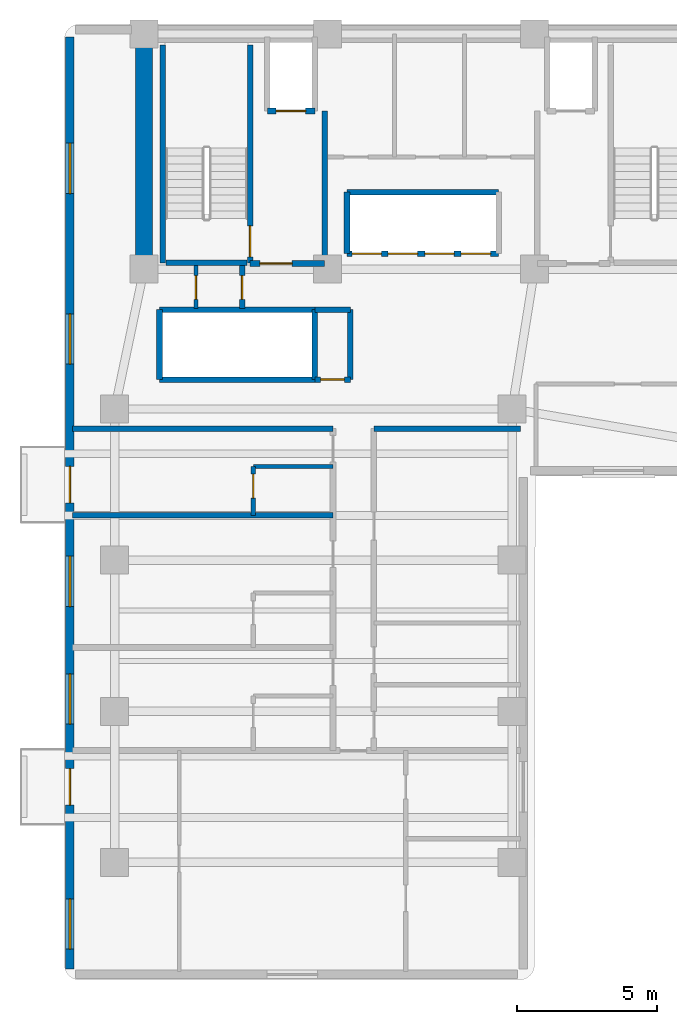
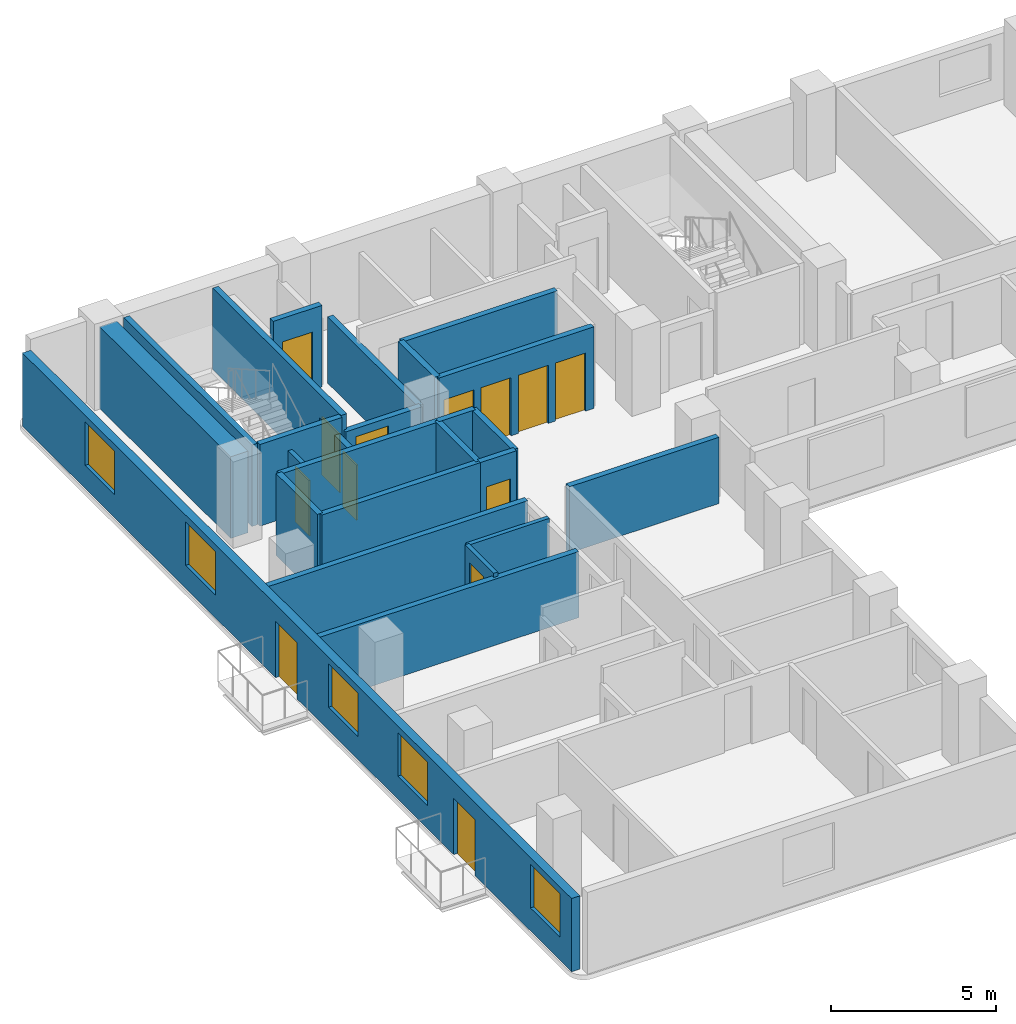
# One storey, part 3 of 7: 25 walls, 13 doors, 5 windows, 18 openings.
"""IFC4 building model written with IfcOpenShell, lengths in metres."""

from ifc_helpers import new_model, si_unit, direction, frame, frame_2d, origin, place, context, subcontext, project, spatial, rectangle, extrude, material, layer, layer_set, type_object, element, fill, save


model = new_model("IFC4")

# Units and contexts
model_context = context("Model", 3, precision=1e-05, world=origin(), true_north=direction((0.0, 1.0)))
body_context = subcontext(model_context, "Body", "Model", "MODEL_VIEW")
ifc_project = project(units=[si_unit("LENGTHUNIT", "METRE"), si_unit("AREAUNIT", "SQUARE_METRE"), si_unit("VOLUMEUNIT", "CUBIC_METRE"), si_unit("PLANEANGLEUNIT", "RADIAN"), si_unit("MASSUNIT", "GRAM", prefix="KILO")], contexts=[model_context])

# Site, building, storey
site_placement = place(None, origin())
site = spatial("IfcSite", under=ifc_project, at=site_placement, CompositionType="ELEMENT")
building_placement = place(site_placement, origin())
building = spatial("IfcBuilding", under=site, at=building_placement, Name="Kuzgunbayir Cultural Tower", CompositionType="ELEMENT")
storey_placement = place(building_placement, frame((0.0, 0.0, 123.39990234375)))
storey = spatial("IfcBuildingStorey", under=building, at=storey_placement, Name="L35", CompositionType="ELEMENT", Elevation=123.39990234375)

# Wall
ifc_material_1 = material(Name="Concrete C60/75", Category="concrete")
ifc_layer_1 = layer(ifc_material_1, 0.60009765625)
ifc_layer_set_1 = layer_set([ifc_layer_1], Name="Concrete C60/75")
wall_type_1 = type_object("IfcWallType", Name="WAL-CORE-600", PredefinedType="SHEAR", material=ifc_layer_set_1)
wall_1_placement = place(storey_placement, frame((6.449951171875, 33.800048828125, 0.0), z_axis=(0.0, 0.0, 1.0), x_axis=(0.0, 1.0, 0.0)))
element("IfcWall", 1, at=wall_1_placement, inside=storey, type_object=wall_type_1, Name="L35 T1 Core West Shear Wall", PredefinedType="SHEAR", context=body_context, shape_type="SweptSolid", body=[
    extrude(rectangle(XDim=7.949951171875, YDim=0.60009765625, at=frame_2d((3.97509765625, 0.0))), origin(), (0.0, 0.0, 1.0), 3.02001953125),
])

# Wall, openings, doors, windows
ifc_material_2 = material(Name="Anatolian Cream Limestone", Category="masonry")
ifc_layer_2 = layer(ifc_material_2, 0.300048828125)
ifc_layer_set_2 = layer_set([ifc_layer_2], Name="Anatolian Cream Limestone")
wall_type_2 = type_object("IfcWallType", Name="WAL-EXT-STONE-300", PredefinedType="STANDARD", material=ifc_layer_set_2)
wall_2_placement = place(storey_placement, frame((3.800048828125, 42.10009765625, 0.0), z_axis=(0.0, 0.0, 1.0), x_axis=(0.0, -1.0, 0.0)))
wall_2 = element("IfcWall", 2, at=wall_2_placement, inside=storey, type_object=wall_type_2, Name="L35 Wing A West Limestone Wall", PredefinedType="STANDARD", context=body_context, shape_type="SweptSolid", body=[
    extrude(rectangle(XDim=33.300048828125, YDim=0.300048828125, at=frame_2d((16.64990234375, 0.0))), origin(), (0.0, 0.0, 1.0), 2.710205078125),
])
opening_1_placement = place(wall_2_placement, frame((26.14990234375, 0.0, 0.0)))
opening_1 = element("IfcOpeningElement", 3, at=opening_1_placement, cuts=wall_2, Name="Opening BD-13", PredefinedType="OPENING", context=body_context, shape_type="SweptSolid", body=[
    extrude(rectangle(XDim=1.300048828125, YDim=2.080078125, at=frame_2d((0.64990234375, 1.0400390625))), frame((0.0, 0.16015625, 0.0), z_axis=(0.0, -1.0, 0.0), x_axis=(1.0, 0.0, 0.0)), (0.0, 0.0, 1.0), 0.320068359375),
])
opening_2_placement = place(wall_2_placement, frame((15.35009765625, 0.0, 0.0)))
opening_2 = element("IfcOpeningElement", 4, at=opening_2_placement, cuts=wall_2, Name="Opening BD-13", PredefinedType="OPENING", context=body_context, shape_type="SweptSolid", body=[
    extrude(rectangle(XDim=1.300048828125, YDim=2.080078125, at=frame_2d((0.64990234375, 1.0400390625))), frame((0.0, 0.16015625, 0.0), z_axis=(0.0, -1.0, 0.0), x_axis=(1.0, 0.0, 0.0)), (0.0, 0.0, 1.0), 0.320068359375),
])
opening_3_placement = place(wall_2_placement, frame((22.760009765625, 0.0, 0.85009765625)))
opening_3 = element("IfcOpeningElement", 5, at=opening_3_placement, cuts=wall_2, Name="Opening WH-18", PredefinedType="OPENING", context=body_context, shape_type="SweptSolid", body=[
    extrude(rectangle(XDim=1.800048828125, YDim=1.610107421875, at=frame_2d((0.89990234375, 0.80517578125))), frame((0.0, 0.16015625, 0.0), z_axis=(0.0, -1.0, 0.0), x_axis=(1.0, 0.0, 0.0)), (0.0, 0.0, 1.0), 0.320068359375),
])
opening_4_placement = place(wall_2_placement, frame((18.56005859375, 0.0, 0.85009765625)))
opening_4 = element("IfcOpeningElement", 6, at=opening_4_placement, cuts=wall_2, Name="Opening WH-18", PredefinedType="OPENING", context=body_context, shape_type="SweptSolid", body=[
    extrude(rectangle(XDim=1.800048828125, YDim=1.610107421875, at=frame_2d((0.89990234375, 0.80517578125))), frame((0.0, 0.16015625, 0.0), z_axis=(0.0, -1.0, 0.0), x_axis=(1.0, 0.0, 0.0)), (0.0, 0.0, 1.0), 0.320068359375),
])
opening_5_placement = place(wall_2_placement, frame((30.800048828125, 0.0, 0.85009765625)))
opening_5 = element("IfcOpeningElement", 7, at=opening_5_placement, cuts=wall_2, Name="Opening WH-18", PredefinedType="OPENING", context=body_context, shape_type="SweptSolid", body=[
    extrude(rectangle(XDim=1.800048828125, YDim=1.610107421875, at=frame_2d((0.89990234375, 0.80517578125))), frame((0.0, 0.16015625, 0.0), z_axis=(0.0, -1.0, 0.0), x_axis=(1.0, 0.0, 0.0)), (0.0, 0.0, 1.0), 0.320068359375),
])
opening_6_placement = place(wall_2_placement, frame((9.89990234375, 0.0, 0.85009765625)))
opening_6 = element("IfcOpeningElement", 8, at=opening_6_placement, cuts=wall_2, Name="Opening WH-18", PredefinedType="OPENING", context=body_context, shape_type="SweptSolid", body=[
    extrude(rectangle(XDim=1.800048828125, YDim=1.610107421875, at=frame_2d((0.89990234375, 0.80517578125))), frame((0.0, 0.16015625, 0.0), z_axis=(0.0, -1.0, 0.0), x_axis=(1.0, 0.0, 0.0)), (0.0, 0.0, 1.0), 0.320068359375),
])
opening_7_placement = place(wall_2_placement, frame((3.800048828125, 0.0, 0.85009765625)))
opening_7 = element("IfcOpeningElement", 9, at=opening_7_placement, cuts=wall_2, Name="Opening WH-18", PredefinedType="OPENING", context=body_context, shape_type="SweptSolid", body=[
    extrude(rectangle(XDim=1.800048828125, YDim=1.610107421875, at=frame_2d((0.89990234375, 0.80517578125))), frame((0.0, 0.16015625, 0.0), z_axis=(0.0, -1.0, 0.0), x_axis=(1.0, 0.0, 0.0)), (0.0, 0.0, 1.0), 0.320068359375),
])
ifc_material_3 = material(Name="Thermally Broken Glazed Aluminium", Category="aluminium")
door_type_1 = type_object("IfcDoorType", Name="DR-BALCONY-135", OperationType="SLIDING_TO_LEFT", PredefinedType="DOOR", material=ifc_material_3)
door_1_placement = place(opening_1_placement, origin())
door_1 = element("IfcDoor", 10, at=door_1_placement, inside=storey, type_object=door_type_1, Name="L35 West Balcony Sliding Door BAL-L35-WA1", OperationType="SLIDING_TO_LEFT", OverallHeight=2.080078125, OverallWidth=1.300048828125, PredefinedType="DOOR", context=body_context, shape_type="SweptSolid", body=[
    extrude(rectangle(XDim=1.300048828125, YDim=2.080078125, at=frame_2d((0.64990234375, 1.0400390625))), frame((0.0, 0.02490234375, 0.0), z_axis=(0.0, -1.0, 0.0), x_axis=(1.0, 0.0, 0.0)), (0.0, 0.0, 1.0), 0.050048828125),
])
fill(opening_1, door_1)
door_2_placement = place(opening_2_placement, origin())
door_2 = element("IfcDoor", 11, at=door_2_placement, inside=storey, type_object=door_type_1, Name="L35 West Balcony Sliding Door BAL-L35-WA3", OperationType="SLIDING_TO_LEFT", OverallHeight=2.080078125, OverallWidth=1.300048828125, PredefinedType="DOOR", context=body_context, shape_type="SweptSolid", body=[
    extrude(rectangle(XDim=1.300048828125, YDim=2.080078125, at=frame_2d((0.64990234375, 1.0400390625))), frame((0.0, 0.02490234375, 0.0), z_axis=(0.0, -1.0, 0.0), x_axis=(1.0, 0.0, 0.0)), (0.0, 0.0, 1.0), 0.050048828125),
])
fill(opening_2, door_2)
ifc_material_4 = material(Name="Solar-Control Triple Glazing", Category="glass")
window_type = type_object("IfcWindowType", Name="WIN-HOTEL-18", PartitioningType="SINGLE_PANEL", PredefinedType="WINDOW", material=ifc_material_4)
window_1_placement = place(opening_3_placement, origin())
window_1 = element("IfcWindow", 12, at=window_1_placement, inside=storey, type_object=window_type, Name="L35 WAW Facade Window 1", OverallHeight=1.610107421875, OverallWidth=1.800048828125, PartitioningType="SINGLE_PANEL", PredefinedType="WINDOW", context=body_context, shape_type="SweptSolid", body=[
    extrude(rectangle(XDim=1.800048828125, YDim=1.610107421875, at=frame_2d((0.89990234375, 0.80517578125))), frame((0.0, 0.030029296875, 0.0), z_axis=(0.0, -1.0, 0.0), x_axis=(1.0, 0.0, 0.0)), (0.0, 0.0, 1.0), 0.06005859375),
])
fill(opening_3, window_1)
window_2_placement = place(opening_4_placement, origin())
window_2 = element("IfcWindow", 13, at=window_2_placement, inside=storey, type_object=window_type, Name="L35 WAW Facade Window 2", OverallHeight=1.610107421875, OverallWidth=1.800048828125, PartitioningType="SINGLE_PANEL", PredefinedType="WINDOW", context=body_context, shape_type="SweptSolid", body=[
    extrude(rectangle(XDim=1.800048828125, YDim=1.610107421875, at=frame_2d((0.89990234375, 0.80517578125))), frame((0.0, 0.030029296875, 0.0), z_axis=(0.0, -1.0, 0.0), x_axis=(1.0, 0.0, 0.0)), (0.0, 0.0, 1.0), 0.06005859375),
])
fill(opening_4, window_2)
window_3_placement = place(opening_5_placement, origin())
window_3 = element("IfcWindow", 14, at=window_3_placement, inside=storey, type_object=window_type, Name="L35 WAW Facade Window 7", OverallHeight=1.610107421875, OverallWidth=1.800048828125, PartitioningType="SINGLE_PANEL", PredefinedType="WINDOW", context=body_context, shape_type="SweptSolid", body=[
    extrude(rectangle(XDim=1.800048828125, YDim=1.610107421875, at=frame_2d((0.89990234375, 0.80517578125))), frame((0.0, 0.030029296875, 0.0), z_axis=(0.0, -1.0, 0.0), x_axis=(1.0, 0.0, 0.0)), (0.0, 0.0, 1.0), 0.06005859375),
])
fill(opening_5, window_3)
window_4_placement = place(opening_6_placement, origin())
window_4 = element("IfcWindow", 15, at=window_4_placement, inside=storey, type_object=window_type, Name="L35 WAW Facade Window 8", OverallHeight=1.610107421875, OverallWidth=1.800048828125, PartitioningType="SINGLE_PANEL", PredefinedType="WINDOW", context=body_context, shape_type="SweptSolid", body=[
    extrude(rectangle(XDim=1.800048828125, YDim=1.610107421875, at=frame_2d((0.89990234375, 0.80517578125))), frame((0.0, 0.030029296875, 0.0), z_axis=(0.0, -1.0, 0.0), x_axis=(1.0, 0.0, 0.0)), (0.0, 0.0, 1.0), 0.06005859375),
])
fill(opening_6, window_4)
window_5_placement = place(opening_7_placement, origin())
window_5 = element("IfcWindow", 16, at=window_5_placement, inside=storey, type_object=window_type, Name="L35 WAW Facade Window 9", OverallHeight=1.610107421875, OverallWidth=1.800048828125, PartitioningType="SINGLE_PANEL", PredefinedType="WINDOW", context=body_context, shape_type="SweptSolid", body=[
    extrude(rectangle(XDim=1.800048828125, YDim=1.610107421875, at=frame_2d((0.89990234375, 0.80517578125))), frame((0.0, 0.030029296875, 0.0), z_axis=(0.0, -1.0, 0.0), x_axis=(1.0, 0.0, 0.0)), (0.0, 0.0, 1.0), 0.06005859375),
])
fill(opening_7, window_5)

# Wall, opening, door
ifc_material_5 = material(Name="Acoustic Double-Stud Drywall", Category="gypsum")
ifc_layer_3 = layer(ifc_material_5, 0.14990234375)
ifc_layer_set_3 = layer_set([ifc_layer_3], Name="Acoustic Double-Stud Drywall")
wall_type_3 = type_object("IfcWallType", Name="WAL-PART-ACOUSTIC-150", PredefinedType="PARTITIONING", material=ifc_layer_set_3)
wall_3_placement = place(storey_placement, frame((8.300048828125, 32.39990234375, 0.0), z_axis=(0.0, 0.0, 1.0), x_axis=(0.0, 1.0, 0.0)))
wall_3 = element("IfcWall", 17, at=wall_3_placement, inside=storey, type_object=wall_type_3, Name="L35 West Core Closet Divider", PredefinedType="PARTITIONING", context=body_context, shape_type="SweptSolid", body=[
    extrude(rectangle(XDim=1.52001953125, YDim=0.14990234375, at=frame_2d((0.760009765625, 0.0))), origin(), (0.0, 0.0, 1.0), 2.4501953125),
])
opening_8_placement = place(wall_3_placement, frame((0.320068359375, 0.0, 0.0)))
opening_8 = element("IfcOpeningElement", 18, at=opening_8_placement, cuts=wall_3, Name="Opening DR-RSR-60", PredefinedType="OPENING", context=body_context, shape_type="SweptSolid", body=[
    extrude(rectangle(XDim=0.85009765625, YDim=2.050048828125, at=frame_2d((0.425048828125, 1.02490234375))), frame((0.0, 0.0849609375, 0.0), z_axis=(0.0, -1.0, 0.0), x_axis=(1.0, 0.0, 0.0)), (0.0, 0.0, 1.0), 0.169921875),
])
ifc_material_6 = material(Name="Steel Access Leaf", Category="steel")
door_type_2 = type_object("IfcDoorType", Name="DR-RISER-60", OperationType="NOTDEFINED", PredefinedType="DOOR", material=ifc_material_6)
door_3_placement = place(opening_8_placement, origin())
door_3 = element("IfcDoor", 19, at=door_3_placement, inside=storey, type_object=door_type_2, Name="L35 Sub-Meter Closet Door", OperationType="SINGLE_SWING_RIGHT", OverallHeight=2.050048828125, OverallWidth=0.85009765625, PredefinedType="DOOR", context=body_context, shape_type="SweptSolid", body=[
    extrude(rectangle(XDim=0.85009765625, YDim=2.050048828125, at=frame_2d((0.425048828125, 1.02490234375))), frame((0.0, 0.02490234375, 0.0), z_axis=(0.0, -1.0, 0.0), x_axis=(1.0, 0.0, 0.0)), (0.0, 0.0, 1.0), 0.050048828125),
])
fill(opening_8, door_3)

# Wall
ifc_material_7 = material(Name="Aerated Concrete Blockwork", Category="masonry")
ifc_layer_4 = layer(ifc_material_7, 0.199951171875)
ifc_layer_set_4 = layer_set([ifc_layer_4], Name="Aerated Concrete Blockwork")
wall_type_4 = type_object("IfcWallType", Name="WAL-PART-FIRE-200", PredefinedType="PARTITIONING", material=ifc_layer_set_4)
wall_4_placement = place(storey_placement, frame((12.89990234375, 34.0, 0.0), z_axis=(0.0, 0.0, 1.0), x_axis=(0.0, 1.0, 0.0)))
element("IfcWall", 20, at=wall_4_placement, inside=storey, type_object=wall_type_4, Name="L35 FFL-1 Lobby East Fire Wall", PredefinedType="PARTITIONING", context=body_context, shape_type="SweptSolid", body=[
    extrude(rectangle(XDim=5.449951171875, YDim=0.199951171875, at=frame_2d((2.72509765625, 0.0))), origin(), (0.0, 0.0, 1.0), 2.4501953125),
])

# Wall, opening, door
wall_5_placement = place(storey_placement, frame((10.239990234375, 34.0, 0.0), z_axis=(0.0, 0.0, 1.0), x_axis=(1.0, 0.0, 0.0)))
wall_5 = element("IfcWall", 21, at=wall_5_placement, inside=storey, type_object=wall_type_4, Name="L35 FFL-1 Lobby South Fire Wall", PredefinedType="PARTITIONING", context=body_context, shape_type="SweptSolid", body=[
    extrude(rectangle(XDim=2.659912109375, YDim=0.199951171875, at=frame_2d((1.330078125, 0.0))), origin(), (0.0, 0.0, 1.0), 2.4501953125),
])
opening_9_placement = place(wall_5_placement, frame((0.35009765625, 0.0, 0.0)))
opening_9 = element("IfcOpeningElement", 22, at=opening_9_placement, cuts=wall_5, Name="Opening DR-FFL-90", PredefinedType="OPENING", context=body_context, shape_type="SweptSolid", body=[
    extrude(rectangle(XDim=1.14990234375, YDim=2.14990234375, at=frame_2d((0.574951171875, 1.074951171875))), frame((0.0, 0.10986328125, 0.0), z_axis=(0.0, -1.0, 0.0), x_axis=(1.0, 0.0, 0.0)), (0.0, 0.0, 1.0), 0.219970703125),
])
ifc_material_8 = material(Name="Steel S355J2", Category="steel")
door_type_3 = type_object("IfcDoorType", Name="DR-FFL-90", OperationType="NOTDEFINED", PredefinedType="DOOR", material=ifc_material_8)
door_4_placement = place(opening_9_placement, origin())
door_4 = element("IfcDoor", 23, at=door_4_placement, inside=storey, type_object=door_type_3, Name="L35 Firefighting Lobby 1 Door", OperationType="SINGLE_SWING_LEFT", OverallHeight=2.14990234375, OverallWidth=1.14990234375, PredefinedType="DOOR", context=body_context, shape_type="SweptSolid", body=[
    extrude(rectangle(XDim=1.14990234375, YDim=2.14990234375, at=frame_2d((0.574951171875, 1.074951171875))), frame((0.0, 0.02490234375, 0.0), z_axis=(0.0, -1.0, 0.0), x_axis=(1.0, 0.0, 0.0)), (0.0, 0.0, 1.0), 0.050048828125),
])
fill(opening_9, door_4)

wall_6_placement = place(storey_placement, frame((9.949951171875, 32.39990234375, 0.0), z_axis=(0.0, 0.0, 1.0), x_axis=(0.0, 1.0, 0.0)))
wall_6 = element("IfcWall", 24, at=wall_6_placement, inside=storey, type_object=wall_type_4, Name="L35 West Core Service Closet Wall", PredefinedType="PARTITIONING", context=body_context, shape_type="SweptSolid", body=[
    extrude(rectangle(XDim=1.52001953125, YDim=0.199951171875, at=frame_2d((0.760009765625, 0.0))), origin(), (0.0, 0.0, 1.0), 2.4501953125),
])
opening_10_placement = place(wall_6_placement, frame((0.320068359375, 0.0, 0.0)))
opening_10 = element("IfcOpeningElement", 25, at=opening_10_placement, cuts=wall_6, Name="Opening DR-RSR-60", PredefinedType="OPENING", context=body_context, shape_type="SweptSolid", body=[
    extrude(rectangle(XDim=0.85009765625, YDim=2.050048828125, at=frame_2d((0.425048828125, 1.02490234375))), frame((0.0, 0.10986328125, 0.0), z_axis=(0.0, -1.0, 0.0), x_axis=(1.0, 0.0, 0.0)), (0.0, 0.0, 1.0), 0.219970703125),
])
door_5_placement = place(opening_10_placement, origin())
door_5 = element("IfcDoor", 26, at=door_5_placement, inside=storey, type_object=door_type_2, Name="L35 Cleaner Store Door", OperationType="SINGLE_SWING_LEFT", OverallHeight=2.050048828125, OverallWidth=0.85009765625, PredefinedType="DOOR", context=body_context, shape_type="SweptSolid", body=[
    extrude(rectangle(XDim=0.85009765625, YDim=2.050048828125, at=frame_2d((0.425048828125, 1.02490234375))), frame((0.0, 0.02490234375, 0.0), z_axis=(0.0, -1.0, 0.0), x_axis=(1.0, 0.0, 0.0)), (0.0, 0.0, 1.0), 0.050048828125),
])
fill(opening_10, door_5)

wall_7_placement = place(storey_placement, frame((12.550048828125, 29.85009765625, 0.0), z_axis=(0.0, 0.0, 1.0), x_axis=(1.0, 0.0, 0.0)))
wall_7 = element("IfcWall", 27, at=wall_7_placement, inside=storey, type_object=wall_type_4, Name="L35 Center Core Switchgear South Wall", PredefinedType="PARTITIONING", context=body_context, shape_type="SweptSolid", body=[
    extrude(rectangle(XDim=1.27001953125, YDim=0.199951171875, at=frame_2d((0.635009765625, 0.0))), origin(), (0.0, 0.0, 1.0), 3.02001953125),
])
opening_11_placement = place(wall_7_placement, frame((0.2099609375, 0.0, 0.0)))
opening_11 = element("IfcOpeningElement", 28, at=opening_11_placement, cuts=wall_7, Name="Opening DR-RSR-60", PredefinedType="OPENING", context=body_context, shape_type="SweptSolid", body=[
    extrude(rectangle(XDim=0.85009765625, YDim=2.050048828125, at=frame_2d((0.425048828125, 1.02490234375))), frame((0.0, 0.10986328125, 0.0), z_axis=(0.0, -1.0, 0.0), x_axis=(1.0, 0.0, 0.0)), (0.0, 0.0, 1.0), 0.219970703125),
])
door_6_placement = place(opening_11_placement, origin())
door_6 = element("IfcDoor", 29, at=door_6_placement, inside=storey, type_object=door_type_2, Name="L35 Telecom Closet Door", OperationType="SINGLE_SWING_LEFT", OverallHeight=2.050048828125, OverallWidth=0.85009765625, PredefinedType="DOOR", context=body_context, shape_type="SweptSolid", body=[
    extrude(rectangle(XDim=0.85009765625, YDim=2.050048828125, at=frame_2d((0.425048828125, 1.02490234375))), frame((0.0, 0.02490234375, 0.0), z_axis=(0.0, -1.0, 0.0), x_axis=(1.0, 0.0, 0.0)), (0.0, 0.0, 1.0), 0.050048828125),
])
fill(opening_11, door_6)

# Walls
wall_8_placement = place(storey_placement, frame((13.820068359375, 29.85009765625, 0.0), z_axis=(0.0, 0.0, 1.0), x_axis=(0.0, 1.0, 0.0)))
element("IfcWall", 30, at=wall_8_placement, inside=storey, type_object=wall_type_4, Name="L35 Center Core Switchgear East Wall", PredefinedType="PARTITIONING", context=body_context, shape_type="SweptSolid", body=[
    extrude(rectangle(XDim=2.5, YDim=0.199951171875, at=frame_2d((1.25, 0.0))), origin(), (0.0, 0.0, 1.0), 3.02001953125),
])
wall_9_placement = place(storey_placement, frame((12.550048828125, 32.35009765625, 0.0), z_axis=(0.0, 0.0, 1.0), x_axis=(1.0, 0.0, 0.0)))
element("IfcWall", 31, at=wall_9_placement, inside=storey, type_object=wall_type_4, Name="L35 Center Core Switchgear North Wall", PredefinedType="PARTITIONING", context=body_context, shape_type="SweptSolid", body=[
    extrude(rectangle(XDim=1.27001953125, YDim=0.199951171875, at=frame_2d((0.635009765625, 0.0))), origin(), (0.0, 0.0, 1.0), 3.02001953125),
])
wall_10_placement = place(storey_placement, frame((3.89990234375, 28.10009765625, 0.0), z_axis=(0.0, 0.0, 1.0), x_axis=(1.0, 0.0, 0.0)))
element("IfcWall", 32, at=wall_10_placement, inside=storey, type_object=wall_type_4, Name="L35 North West Partition", PredefinedType="PARTITIONING", context=body_context, shape_type="SweptSolid", body=[
    extrude(rectangle(XDim=9.300048828125, YDim=0.199951171875, at=frame_2d((4.64990234375, 0.0))), origin(), (0.0, 0.0, 1.0), 2.4501953125),
])
wall_11_placement = place(storey_placement, frame((14.659912109375, 28.10009765625, 0.0), z_axis=(0.0, 0.0, 1.0), x_axis=(1.0, 0.0, 0.0)))
element("IfcWall", 33, at=wall_11_placement, inside=storey, type_object=wall_type_4, Name="L35 North East Partition", PredefinedType="PARTITIONING", context=body_context, shape_type="SweptSolid", body=[
    extrude(rectangle(XDim=5.239990234375, YDim=0.199951171875, at=frame_2d((2.6201171875, 0.0))), origin(), (0.0, 0.0, 1.0), 2.4501953125),
])
wall_12_placement = place(storey_placement, frame((3.89990234375, 25.0, 0.0), z_axis=(0.0, 0.0, 1.0), x_axis=(1.0, 0.0, 0.0)))
element("IfcWall", 34, at=wall_12_placement, inside=storey, type_object=wall_type_4, Name="L35 West Party Wall 2", PredefinedType="PARTITIONING", context=body_context, shape_type="SweptSolid", body=[
    extrude(rectangle(XDim=9.300048828125, YDim=0.199951171875, at=frame_2d((4.64990234375, 0.0))), origin(), (0.0, 0.0, 1.0), 2.4501953125),
])
ifc_material_9 = material(Name="Moisture-Resistant Tile Partition", Category="gypsum")
ifc_layer_5 = layer(ifc_material_9, 0.14990234375)
ifc_layer_set_5 = layer_set([ifc_layer_5], Name="Moisture-Resistant Tile Partition")
wall_type_5 = type_object("IfcWallType", Name="WAL-PART-WET-150", PredefinedType="PARTITIONING", material=ifc_layer_set_5)
wall_13_placement = place(storey_placement, frame((10.35009765625, 26.75, 0.0), z_axis=(0.0, 0.0, 1.0), x_axis=(1.0, 0.0, 0.0)))
element("IfcWall", 35, at=wall_13_placement, inside=storey, type_object=wall_type_5, Name="L35 Suite W3 En-Suite North Wall", PredefinedType="PARTITIONING", context=body_context, shape_type="SweptSolid", body=[
    extrude(rectangle(XDim=2.849853515625, YDim=0.14990234375, at=frame_2d((1.4248046875, 0.0))), origin(), (0.0, 0.0, 1.0), 2.60009765625),
])

# Wall, opening, door
wall_14_placement = place(storey_placement, frame((10.35009765625, 25.0, 0.0), z_axis=(0.0, 0.0, 1.0), x_axis=(0.0, 1.0, 0.0)))
wall_14 = element("IfcWall", 36, at=wall_14_placement, inside=storey, type_object=wall_type_5, Name="L35 Suite W3 En-Suite West Wall", PredefinedType="PARTITIONING", context=body_context, shape_type="SweptSolid", body=[
    extrude(rectangle(XDim=1.75, YDim=0.14990234375, at=frame_2d((0.875, 0.0))), origin(), (0.0, 0.0, 1.0), 2.60009765625),
])
opening_12_placement = place(wall_14_placement, frame((0.6201171875, 0.0, 0.0)))
opening_12 = element("IfcOpeningElement", 37, at=opening_12_placement, cuts=wall_14, Name="Opening DW-85", PredefinedType="OPENING", context=body_context, shape_type="SweptSolid", body=[
    extrude(rectangle(XDim=0.85009765625, YDim=2.10009765625, at=frame_2d((0.425048828125, 1.050048828125))), frame((0.0, 0.0849609375, 0.0), z_axis=(0.0, -1.0, 0.0), x_axis=(1.0, 0.0, 0.0)), (0.0, 0.0, 1.0), 0.169921875),
])
ifc_material_10 = material(Name="Laminate Moisture-Resistant Leaf", Category="wood")
door_type_4 = type_object("IfcDoorType", Name="DR-WET-85", OperationType="NOTDEFINED", PredefinedType="DOOR", material=ifc_material_10)
door_7_placement = place(opening_12_placement, origin())
door_7 = element("IfcDoor", 38, at=door_7_placement, inside=storey, type_object=door_type_4, Name="L35 Suite W3 En-Suite Door", OperationType="SINGLE_SWING_RIGHT", OverallHeight=2.10009765625, OverallWidth=0.85009765625, PredefinedType="DOOR", context=body_context, shape_type="SweptSolid", body=[
    extrude(rectangle(XDim=0.85009765625, YDim=2.10009765625, at=frame_2d((0.425048828125, 1.050048828125))), frame((0.0, 0.02490234375, 0.0), z_axis=(0.0, -1.0, 0.0), x_axis=(1.0, 0.0, 0.0)), (0.0, 0.0, 1.0), 0.050048828125),
])
fill(opening_12, door_7)

# Walls
ifc_material_11 = material(Name="Concrete C40/50", Category="concrete")
ifc_layer_6 = layer(ifc_material_11, 0.199951171875)
ifc_layer_set_6 = layer_set([ifc_layer_6], Name="Concrete C40/50")
wall_type_6 = type_object("IfcWallType", Name="WAL-SHAFT-200", PredefinedType="MOVABLE", material=ifc_layer_set_6)
for number, where, z_axis, x_axis, name in (
    (39, (7.0, 29.85009765625, 0.0), (0.0, 0.0, 1.0), (1.0, 0.0, 0.0), "L35 High-Rise Lift Shaft South Wall"),
    (40, (7.0, 32.35009765625, 0.0), (0.0, 0.0, 1.0), (1.0, 0.0, 0.0), "L35 High-Rise Lift Shaft North Wall"),
):
    element("IfcWall", number, at=place(storey_placement, frame(where, z_axis=z_axis, x_axis=x_axis)), inside=storey, type_object=wall_type_6, Name=name, PredefinedType="MOVABLE", context=body_context, shape_type="SweptSolid", body=[
        extrude(rectangle(XDim=5.550048828125, YDim=0.199951171875, at=frame_2d((2.77490234375, 0.0))), origin(), (0.0, 0.0, 1.0), 3.02001953125),
    ])
for number, where, z_axis, x_axis, name in (
    (41, (7.0, 29.85009765625, 0.0), (0.0, 0.0, 1.0), (0.0, 1.0, 0.0), "L35 High-Rise Lift Shaft West Wall"),
    (42, (12.550048828125, 29.85009765625, 0.0), (0.0, 0.0, 1.0), (0.0, 1.0, 0.0), "L35 High-Rise Lift Shaft East Wall"),
):
    element("IfcWall", number, at=place(storey_placement, frame(where, z_axis=z_axis, x_axis=x_axis)), inside=storey, type_object=wall_type_6, Name=name, PredefinedType="MOVABLE", context=body_context, shape_type="SweptSolid", body=[
        extrude(rectangle(XDim=2.5, YDim=0.199951171875, at=frame_2d((1.25, 0.0))), origin(), (0.0, 0.0, 1.0), 3.02001953125),
    ])

# Wall, opening, door
wall_15_placement = place(storey_placement, frame((10.85009765625, 39.449951171875, 0.0), z_axis=(0.0, 0.0, 1.0), x_axis=(1.0, 0.0, 0.0)))
wall_15 = element("IfcWall", 43, at=wall_15_placement, inside=storey, type_object=wall_type_6, Name="L35 FFL-1 Lift Front Wall", PredefinedType="MOVABLE", context=body_context, shape_type="SweptSolid", body=[
    extrude(rectangle(XDim=1.699951171875, YDim=0.199951171875, at=frame_2d((0.85009765625, 0.0))), origin(), (0.0, 0.0, 1.0), 3.02001953125),
])
opening_13_placement = place(wall_15_placement, frame((0.320068359375, 0.0, 0.0)))
opening_13 = element("IfcOpeningElement", 44, at=opening_13_placement, cuts=wall_15, Name="Opening LD", PredefinedType="OPENING", context=body_context, shape_type="SweptSolid", body=[
    extrude(rectangle(XDim=1.050048828125, YDim=2.14990234375, at=frame_2d((0.52490234375, 1.074951171875))), frame((0.0, 0.10986328125, 0.0), z_axis=(0.0, -1.0, 0.0), x_axis=(1.0, 0.0, 0.0)), (0.0, 0.0, 1.0), 0.219970703125),
])
ifc_material_12 = material(Name="Brushed Stainless Steel", Category="steel")
door_type_5 = type_object("IfcDoorType", Name="DR-LIFT-LANDING", OperationType="SLIDING_TO_LEFT", PredefinedType="DOOR", material=ifc_material_12)
door_8_placement = place(opening_13_placement, origin())
door_8 = element("IfcDoor", 45, at=door_8_placement, inside=storey, type_object=door_type_5, Name="L35 Lift FFL-1 Landing Door", OperationType="SLIDING_TO_LEFT", OverallHeight=2.14990234375, OverallWidth=1.050048828125, PredefinedType="DOOR", context=body_context, shape_type="SweptSolid", body=[
    extrude(rectangle(XDim=1.050048828125, YDim=2.14990234375, at=frame_2d((0.52490234375, 1.074951171875))), frame((0.0, 0.02490234375, 0.0), z_axis=(0.0, -1.0, 0.0), x_axis=(1.0, 0.0, 0.0)), (0.0, 0.0, 1.0), 0.050048828125),
])
fill(opening_13, door_8)

# Wall, openings, doors
wall_16_placement = place(storey_placement, frame((13.699951171875, 34.35009765625, 0.0), z_axis=(0.0, 0.0, 1.0), x_axis=(1.0, 0.0, 0.0)))
wall_16 = element("IfcWall", 46, at=wall_16_placement, inside=storey, type_object=wall_type_6, Name="L35 Mid-Rise Lift Front Wall", PredefinedType="MOVABLE", context=body_context, shape_type="SweptSolid", body=[
    extrude(rectangle(XDim=5.420166015625, YDim=0.199951171875, at=frame_2d((2.7099609375, 0.0))), origin(), (0.0, 0.0, 1.0), 3.02001953125),
])
opening_14_placement = place(wall_16_placement, frame((0.179931640625, 0.0, 0.0)))
opening_14 = element("IfcOpeningElement", 47, at=opening_14_placement, cuts=wall_16, Name="Opening LD", PredefinedType="OPENING", context=body_context, shape_type="SweptSolid", body=[
    extrude(rectangle(XDim=1.050048828125, YDim=2.14990234375, at=frame_2d((0.52490234375, 1.074951171875))), frame((0.0, 0.10986328125, 0.0), z_axis=(0.0, -1.0, 0.0), x_axis=(1.0, 0.0, 0.0)), (0.0, 0.0, 1.0), 0.219970703125),
])
opening_15_placement = place(wall_16_placement, frame((1.469970703125, 0.0, 0.0)))
opening_15 = element("IfcOpeningElement", 48, at=opening_15_placement, cuts=wall_16, Name="Opening LD", PredefinedType="OPENING", context=body_context, shape_type="SweptSolid", body=[
    extrude(rectangle(XDim=1.050048828125, YDim=2.14990234375, at=frame_2d((0.52490234375, 1.074951171875))), frame((0.0, 0.10986328125, 0.0), z_axis=(0.0, -1.0, 0.0), x_axis=(1.0, 0.0, 0.0)), (0.0, 0.0, 1.0), 0.219970703125),
])
opening_16_placement = place(wall_16_placement, frame((2.780029296875, 0.0, 0.0)))
opening_16 = element("IfcOpeningElement", 49, at=opening_16_placement, cuts=wall_16, Name="Opening LD", PredefinedType="OPENING", context=body_context, shape_type="SweptSolid", body=[
    extrude(rectangle(XDim=1.050048828125, YDim=2.14990234375, at=frame_2d((0.52490234375, 1.074951171875))), frame((0.0, 0.10986328125, 0.0), z_axis=(0.0, -1.0, 0.0), x_axis=(1.0, 0.0, 0.0)), (0.0, 0.0, 1.0), 0.219970703125),
])
opening_17_placement = place(wall_16_placement, frame((4.080078125, 0.0, 0.0)))
opening_17 = element("IfcOpeningElement", 50, at=opening_17_placement, cuts=wall_16, Name="Opening LD", PredefinedType="OPENING", context=body_context, shape_type="SweptSolid", body=[
    extrude(rectangle(XDim=1.050048828125, YDim=2.14990234375, at=frame_2d((0.52490234375, 1.074951171875))), frame((0.0, 0.10986328125, 0.0), z_axis=(0.0, -1.0, 0.0), x_axis=(1.0, 0.0, 0.0)), (0.0, 0.0, 1.0), 0.219970703125),
])
door_9_placement = place(opening_14_placement, origin())
door_9 = element("IfcDoor", 51, at=door_9_placement, inside=storey, type_object=door_type_5, Name="L35 Lift PM-1 Landing Door", OperationType="SLIDING_TO_LEFT", OverallHeight=2.14990234375, OverallWidth=1.050048828125, PredefinedType="DOOR", context=body_context, shape_type="SweptSolid", body=[
    extrude(rectangle(XDim=1.050048828125, YDim=2.14990234375, at=frame_2d((0.52490234375, 1.074951171875))), frame((0.0, 0.02490234375, 0.0), z_axis=(0.0, -1.0, 0.0), x_axis=(1.0, 0.0, 0.0)), (0.0, 0.0, 1.0), 0.050048828125),
])
fill(opening_14, door_9)
door_10_placement = place(opening_15_placement, origin())
door_10 = element("IfcDoor", 52, at=door_10_placement, inside=storey, type_object=door_type_5, Name="L35 Lift PM-2 Landing Door", OperationType="SLIDING_TO_LEFT", OverallHeight=2.14990234375, OverallWidth=1.050048828125, PredefinedType="DOOR", context=body_context, shape_type="SweptSolid", body=[
    extrude(rectangle(XDim=1.050048828125, YDim=2.14990234375, at=frame_2d((0.52490234375, 1.074951171875))), frame((0.0, 0.02490234375, 0.0), z_axis=(0.0, -1.0, 0.0), x_axis=(1.0, 0.0, 0.0)), (0.0, 0.0, 1.0), 0.050048828125),
])
fill(opening_15, door_10)
door_11_placement = place(opening_16_placement, origin())
door_11 = element("IfcDoor", 53, at=door_11_placement, inside=storey, type_object=door_type_5, Name="L35 Lift PM-3 Landing Door", OperationType="SLIDING_TO_LEFT", OverallHeight=2.14990234375, OverallWidth=1.050048828125, PredefinedType="DOOR", context=body_context, shape_type="SweptSolid", body=[
    extrude(rectangle(XDim=1.050048828125, YDim=2.14990234375, at=frame_2d((0.52490234375, 1.074951171875))), frame((0.0, 0.02490234375, 0.0), z_axis=(0.0, -1.0, 0.0), x_axis=(1.0, 0.0, 0.0)), (0.0, 0.0, 1.0), 0.050048828125),
])
fill(opening_16, door_11)
door_12_placement = place(opening_17_placement, origin())
door_12 = element("IfcDoor", 54, at=door_12_placement, inside=storey, type_object=door_type_5, Name="L35 Lift PM-4 Landing Door", OperationType="SLIDING_TO_LEFT", OverallHeight=2.14990234375, OverallWidth=1.050048828125, PredefinedType="DOOR", context=body_context, shape_type="SweptSolid", body=[
    extrude(rectangle(XDim=1.050048828125, YDim=2.14990234375, at=frame_2d((0.52490234375, 1.074951171875))), frame((0.0, 0.02490234375, 0.0), z_axis=(0.0, -1.0, 0.0), x_axis=(1.0, 0.0, 0.0)), (0.0, 0.0, 1.0), 0.050048828125),
])
fill(opening_17, door_12)

# Walls
wall_17_placement = place(storey_placement, frame((13.699951171875, 36.550048828125, 0.0), z_axis=(0.0, 0.0, 1.0), x_axis=(1.0, 0.0, 0.0)))
element("IfcWall", 55, at=wall_17_placement, inside=storey, type_object=wall_type_6, Name="L35 Mid-Rise Lift Shaft North Wall", PredefinedType="MOVABLE", context=body_context, shape_type="SweptSolid", body=[
    extrude(rectangle(XDim=5.420166015625, YDim=0.199951171875, at=frame_2d((2.7099609375, 0.0))), origin(), (0.0, 0.0, 1.0), 3.02001953125),
])
wall_18_placement = place(storey_placement, frame((13.699951171875, 34.35009765625, 0.0), z_axis=(0.0, 0.0, 1.0), x_axis=(0.0, 1.0, 0.0)))
element("IfcWall", 56, at=wall_18_placement, inside=storey, type_object=wall_type_6, Name="L35 Mid-Rise Lift Shaft West Wall", PredefinedType="MOVABLE", context=body_context, shape_type="SweptSolid", body=[
    extrude(rectangle(XDim=2.199951171875, YDim=0.199951171875, at=frame_2d((1.10009765625, 0.0))), origin(), (0.0, 0.0, 1.0), 3.02001953125),
])
ifc_layer_7 = layer(ifc_material_11, 0.199951171875)
ifc_layer_set_7 = layer_set([ifc_layer_7], Name="Concrete C40/50")
wall_type_7 = type_object("IfcWallType", Name="WAL-STAIR-RC-200", PredefinedType="SHEAR", material=ifc_layer_set_7)
wall_19_placement = place(storey_placement, frame((7.1201171875, 34.02001953125, 0.0), z_axis=(0.0, 0.0, 1.0), x_axis=(0.0, 1.0, 0.0)))
element("IfcWall", 57, at=wall_19_placement, inside=storey, type_object=wall_type_7, Name="L35 Stair ST-1 West Structural Wall", PredefinedType="SHEAR", context=body_context, shape_type="SweptSolid", body=[
    extrude(rectangle(XDim=7.780029296875, YDim=0.199951171875, at=frame_2d((3.89013671875, 0.0))), origin(), (0.0, 0.0, 1.0), 3.02001953125),
])

# Wall, opening, door
wall_20_placement = place(storey_placement, frame((10.239990234375, 34.02001953125, 0.0), z_axis=(0.0, 0.0, 1.0), x_axis=(0.0, 1.0, 0.0)))
wall_20 = element("IfcWall", 58, at=wall_20_placement, inside=storey, type_object=wall_type_7, Name="L35 Stair ST-1 East Structural Wall", PredefinedType="SHEAR", context=body_context, shape_type="SweptSolid", body=[
    extrude(rectangle(XDim=7.780029296875, YDim=0.199951171875, at=frame_2d((3.89013671875, 0.0))), origin(), (0.0, 0.0, 1.0), 3.02001953125),
])
opening_18_placement = place(wall_20_placement, frame((0.219970703125, 0.0, 0.0)))
opening_18 = element("IfcOpeningElement", 59, at=opening_18_placement, cuts=wall_20, Name="Opening DR-STAIR-90", PredefinedType="OPENING", context=body_context, shape_type="SweptSolid", body=[
    extrude(rectangle(XDim=1.10009765625, YDim=2.14990234375, at=frame_2d((0.550048828125, 1.074951171875))), frame((0.0, 0.10986328125, 0.0), z_axis=(0.0, -1.0, 0.0), x_axis=(1.0, 0.0, 0.0)), (0.0, 0.0, 1.0), 0.219970703125),
])
door_type_6 = type_object("IfcDoorType", Name="DR-STAIR-90", OperationType="NOTDEFINED", PredefinedType="DOOR", material=ifc_material_8)
door_13_placement = place(opening_18_placement, origin())
door_13 = element("IfcDoor", 60, at=door_13_placement, inside=storey, type_object=door_type_6, Name="L35 Stair ST-1 Fire Door", OperationType="SINGLE_SWING_LEFT", OverallHeight=2.14990234375, OverallWidth=1.10009765625, PredefinedType="DOOR", context=body_context, shape_type="SweptSolid", body=[
    extrude(rectangle(XDim=1.10009765625, YDim=2.14990234375, at=frame_2d((0.550048828125, 1.074951171875))), frame((0.0, 0.02490234375, 0.0), z_axis=(0.0, -1.0, 0.0), x_axis=(1.0, 0.0, 0.0)), (0.0, 0.0, 1.0), 0.050048828125),
])
fill(opening_18, door_13)

# Wall
wall_21_placement = place(storey_placement, frame((7.239990234375, 34.02001953125, 0.0), z_axis=(0.0, 0.0, 1.0), x_axis=(1.0, 0.0, 0.0)))
element("IfcWall", 61, at=wall_21_placement, inside=storey, type_object=wall_type_7, Name="L35 Stair ST-1 South Structural Wall", PredefinedType="SHEAR", context=body_context, shape_type="SweptSolid", body=[
    extrude(rectangle(XDim=2.880126953125, YDim=0.199951171875, at=frame_2d((1.43994140625, 0.0))), origin(), (0.0, 0.0, 1.0), 3.02001953125),
])

save(model, "model.ifc")
